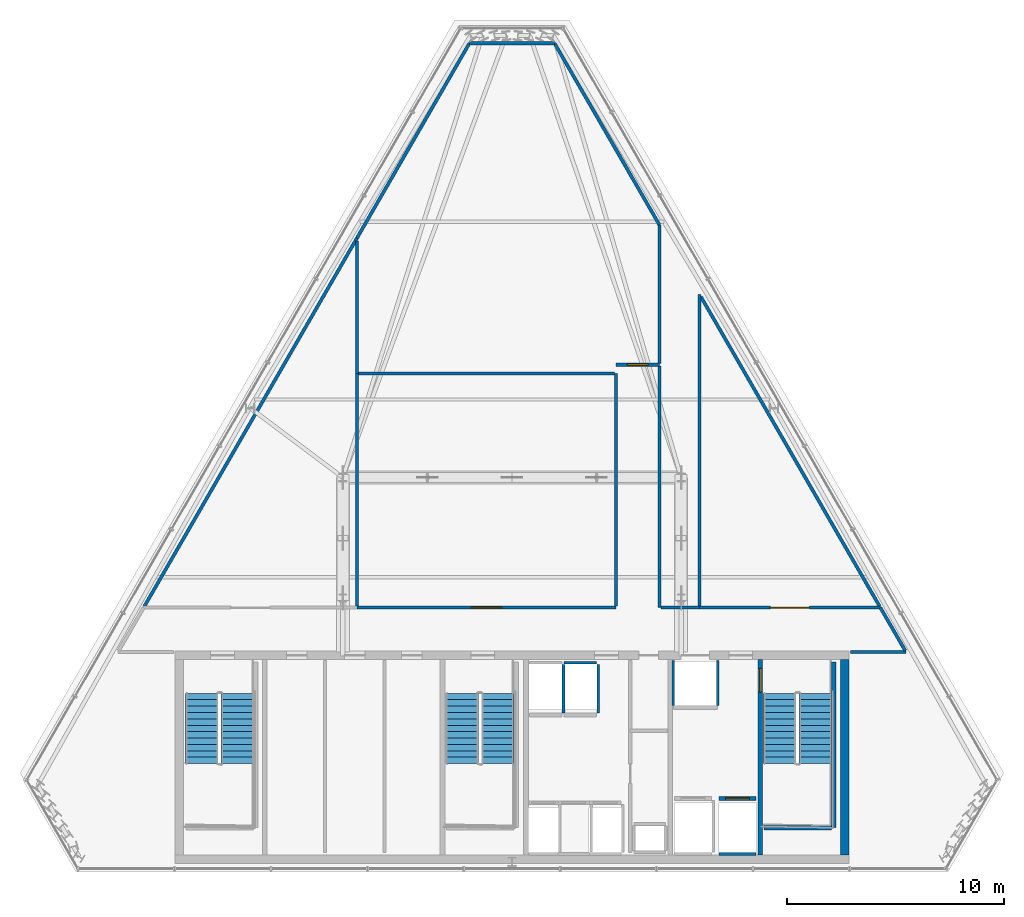
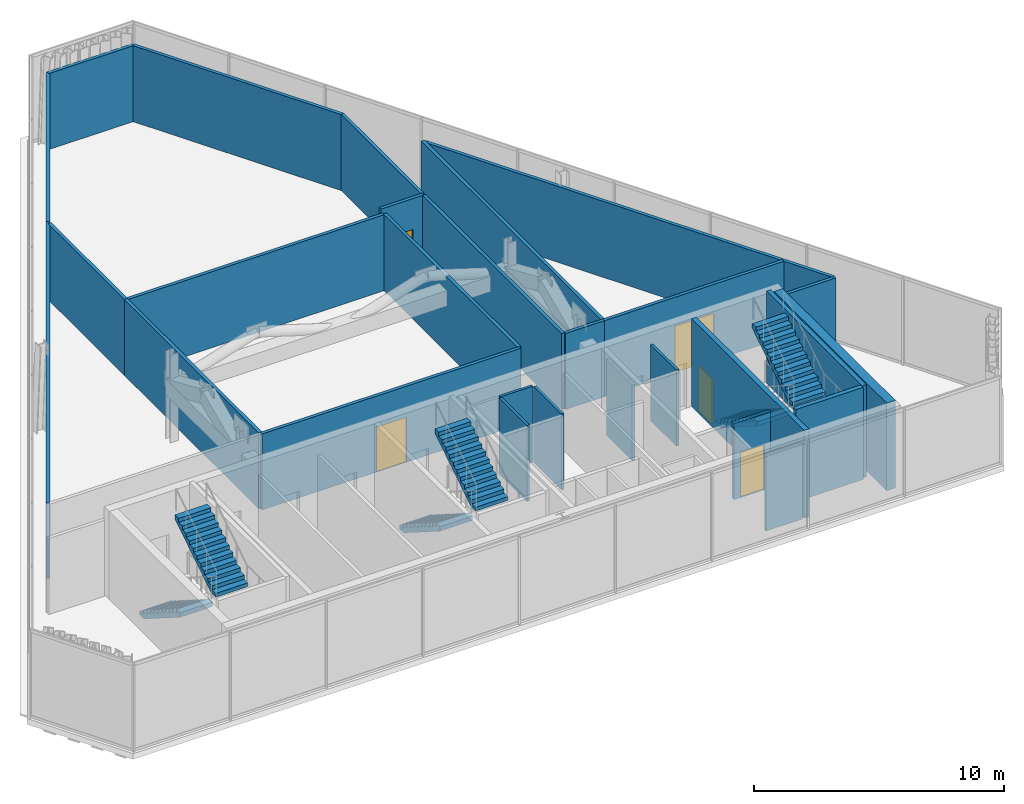
# One storey, part 29 of 32: 29 walls, 6 stair flights, 5 doors, 5 openings, 3 elements without a shape of their own.
"""IFC4 building model written with IfcOpenShell, lengths in metres."""

from ifc_helpers import new_model, si_unit, direction, frame, frame_2d, origin, place, context, subcontext, project, spatial, polyline, rectangle, outline, extrude, material, layer, layer_set, type_object, element, fill, aggregate, save


model = new_model("IFC4")

# Units and contexts
model_context = context("Model", 3, precision=1e-05, world=origin(), true_north=direction((0.0, 1.0)))
body_context = subcontext(model_context, "Body", "Model", "MODEL_VIEW")
ifc_project = project(units=[si_unit("LENGTHUNIT", "METRE"), si_unit("AREAUNIT", "SQUARE_METRE"), si_unit("VOLUMEUNIT", "CUBIC_METRE"), si_unit("PLANEANGLEUNIT", "RADIAN"), si_unit("MASSUNIT", "GRAM", prefix="KILO")], contexts=[model_context])

# Site, building, storey
site_placement = place(None, origin())
site = spatial("IfcSite", under=ifc_project, at=site_placement, CompositionType="ELEMENT")
building_placement = place(site_placement, origin())
building = spatial("IfcBuilding", under=site, at=building_placement, Name="Ndaravel Arena Tower", CompositionType="ELEMENT")
storey_placement = place(building_placement, frame((0.0, 0.0, 278.800048828125)))
storey = spatial("IfcBuildingStorey", under=building, at=storey_placement, Name="L68", CompositionType="ELEMENT", Elevation=278.800048828125)

# Wall
ifc_material_1 = material(Name="Gypsum", Category="gypsum")
ifc_layer_1 = layer(ifc_material_1, 0.14990234375)
ifc_layer_set_1 = layer_set([ifc_layer_1], Name="Gypsum")
wall_type_1 = type_object("IfcWallType", Name="WALL-COMP-150", PredefinedType="PARTITIONING", material=ifc_layer_set_1)
wall_1_placement = place(storey_placement, frame((60.171630859375, 15.14990234375, 0.0), z_axis=(0.0, 0.0, 1.0), x_axis=(-1.0, 0.0, 0.0)))
element("IfcWall", 1, at=wall_1_placement, inside=storey, type_object=wall_type_1, Name="L68 Interior Partition 001", PredefinedType="PARTITIONING", context=body_context, shape_type="SweptSolid", body=[
    extrude(rectangle(XDim=2.571533203125, YDim=0.14990234375, at=frame_2d((1.28564453125, 0.0))), origin(), (0.0, 0.0, 1.0), 3.71044921875),
])

# Wall, opening, door
wall_2_placement = place(storey_placement, frame((34.85009765625, 17.199951171875, 0.0), z_axis=(0.0, 0.0, 1.0), x_axis=(1.0, 0.0, 0.0)))
wall_2 = element("IfcWall", 2, at=wall_2_placement, inside=storey, type_object=wall_type_1, Name="L68 Interior Partition 005", PredefinedType="PARTITIONING", context=body_context, shape_type="SweptSolid", body=[
    extrude(rectangle(XDim=11.949951171875, YDim=0.14990234375, at=frame_2d((5.97509765625, 0.0))), origin(), (0.0, 0.0, 1.0), 3.71044921875),
])
opening_1_placement = place(wall_2_placement, frame((5.27490234375, 0.0, 0.0)))
opening_1 = element("IfcOpeningElement", 3, at=opening_1_placement, cuts=wall_2, Name="Opening ID-02", PredefinedType="OPENING", context=body_context, shape_type="SweptSolid", body=[
    extrude(rectangle(XDim=1.39990234375, YDim=2.199951171875, at=frame_2d((0.699951171875, 1.10009765625))), frame((0.0, 0.074951171875, 0.0), z_axis=(0.0, -1.0, 0.0), x_axis=(1.0, 0.0, 0.0)), (0.0, 0.0, 1.0), 0.14990234375),
])
ifc_material_2 = material(Name="Timber", Category="wood")
door_type_1 = type_object("IfcDoorType", Name="DT-04-SUITE-1400", OperationType="DOUBLE_DOOR_SINGLE_SWING", PredefinedType="DOOR", material=ifc_material_2)
door_1_placement = place(opening_1_placement, origin())
door_1 = element("IfcDoor", 4, at=door_1_placement, inside=storey, type_object=door_type_1, Name="L68 L68 Pressurized Fire Refuge Holding Area Door", OperationType="SINGLE_SWING_LEFT", OverallHeight=2.199951171875, OverallWidth=1.39990234375, PredefinedType="DOOR", context=body_context, shape_type="SweptSolid", body=[
    extrude(rectangle(XDim=1.39990234375, YDim=2.199951171875, at=frame_2d((0.699951171875, 1.10009765625))), frame((0.0, 0.02490234375, 0.0), z_axis=(0.0, -1.0, 0.0), x_axis=(1.0, 0.0, 0.0)), (0.0, 0.0, 1.0), 0.050048828125),
])
fill(opening_1, door_1)

# Wall
wall_3_placement = place(storey_placement, frame((46.800048828125, 17.264892578125, 0.0), z_axis=(0.0, 0.0, 1.0), x_axis=(0.0, 1.0, 0.0)))
element("IfcWall", 5, at=wall_3_placement, inside=storey, type_object=wall_type_1, Name="L68 Interior Partition 006", PredefinedType="PARTITIONING", context=body_context, shape_type="SweptSolid", body=[
    extrude(rectangle(XDim=10.735107421875, YDim=0.14990234375, at=frame_2d((5.36767578125, 0.0))), origin(), (0.0, 0.0, 1.0), 3.71044921875),
])

# Wall, opening, door
wall_4_placement = place(storey_placement, frame((46.800048828125, 28.39990234375, 0.0), z_axis=(0.0, 0.0, 1.0), x_axis=(1.0, 0.0, 0.0)))
wall_4 = element("IfcWall", 6, at=wall_4_placement, inside=storey, type_object=wall_type_1, Name="L68 Interior Partition 007", PredefinedType="PARTITIONING", context=body_context, shape_type="SweptSolid", body=[
    extrude(rectangle(XDim=2.0, YDim=0.14990234375, at=frame_2d((1.0, 0.0))), origin(), (0.0, 0.0, 1.0), 3.71044921875),
])
opening_2_placement = place(wall_4_placement, frame((0.52490234375, 0.0, 0.0)))
opening_2 = element("IfcOpeningElement", 7, at=opening_2_placement, cuts=wall_4, Name="Opening FD-03", PredefinedType="OPENING", context=body_context, shape_type="SweptSolid", body=[
    extrude(rectangle(XDim=0.949951171875, YDim=2.199951171875, at=frame_2d((0.47509765625, 1.10009765625))), frame((0.0, 0.074951171875, 0.0), z_axis=(0.0, -1.0, 0.0), x_axis=(1.0, 0.0, 0.0)), (0.0, 0.0, 1.0), 0.14990234375),
])
ifc_material_3 = material(Name="Steel S355", Category="steel")
door_type_2 = type_object("IfcDoorType", Name="DT-11-CORE-950", OperationType="SINGLE_SWING_LEFT", PredefinedType="DOOR", material=ifc_material_3)
door_2_placement = place(opening_2_placement, origin())
door_2 = element("IfcDoor", 8, at=door_2_placement, inside=storey, type_object=door_type_2, Name="L68 Central Mechanical Transfer Switchroom Door", OperationType="SINGLE_SWING_RIGHT", OverallHeight=2.199951171875, OverallWidth=0.949951171875, PredefinedType="DOOR", context=body_context, shape_type="SweptSolid", body=[
    extrude(rectangle(XDim=0.949951171875, YDim=2.199951171875, at=frame_2d((0.47509765625, 1.10009765625))), frame((0.0, 0.02490234375, 0.0), z_axis=(0.0, -1.0, 0.0), x_axis=(1.0, 0.0, 0.0)), (0.0, 0.0, 1.0), 0.050048828125),
])
fill(opening_2, door_2)

# Walls
wall_5_placement = place(storey_placement, frame((48.800048828125, 28.3349609375, 0.0), z_axis=(0.0, 0.0, 1.0), x_axis=(0.0, -1.0, 0.0)))
element("IfcWall", 9, at=wall_5_placement, inside=storey, type_object=wall_type_1, Name="L68 Interior Partition 008", PredefinedType="PARTITIONING", context=body_context, shape_type="SweptSolid", body=[
    extrude(rectangle(XDim=11.135009765625, YDim=0.14990234375, at=frame_2d((5.5673828125, 0.0))), origin(), (0.0, 0.0, 1.0), 3.71044921875),
])
wall_6_placement = place(storey_placement, frame((48.864990234375, 17.199951171875, 0.0), z_axis=(0.0, 0.0, 1.0), x_axis=(1.0, 0.0, 0.0)))
element("IfcWall", 10, at=wall_6_placement, inside=storey, type_object=wall_type_1, Name="L68 Interior Partition 009", PredefinedType="PARTITIONING", context=body_context, shape_type="SweptSolid", body=[
    extrude(rectangle(XDim=1.784912109375, YDim=0.14990234375, at=frame_2d((0.892578125, 0.0))), origin(), (0.0, 0.0, 1.0), 3.71044921875),
])

# Wall, opening, door
wall_7_placement = place(storey_placement, frame((50.64990234375, 17.199951171875, 0.0), z_axis=(0.0, 0.0, 1.0), x_axis=(1.0, 0.0, 0.0)))
wall_7 = element("IfcWall", 11, at=wall_7_placement, inside=storey, type_object=wall_type_1, Name="L68 Interior Partition 010", PredefinedType="PARTITIONING", context=body_context, shape_type="SweptSolid", body=[
    extrude(rectangle(XDim=8.338134765625, YDim=0.14990234375, at=frame_2d((4.1689453125, 0.0))), origin(), (0.0, 0.0, 1.0), 3.71044921875),
])
opening_3_placement = place(wall_7_placement, frame((3.26904296875, 0.0, 0.0)))
opening_3 = element("IfcOpeningElement", 12, at=opening_3_placement, cuts=wall_7, Name="Opening PD-01", PredefinedType="OPENING", context=body_context, shape_type="SweptSolid", body=[
    extrude(rectangle(XDim=1.800048828125, YDim=2.300048828125, at=frame_2d((0.89990234375, 1.14990234375))), frame((0.0, 0.074951171875, 0.0), z_axis=(0.0, -1.0, 0.0), x_axis=(1.0, 0.0, 0.0)), (0.0, 0.0, 1.0), 0.14990234375),
])
ifc_material_4 = material(Name="Steel S355", Category="steel")
door_type_3 = type_object("IfcDoorType", Name="DT-09-PLANT-1800", OperationType="DOUBLE_DOOR_SINGLE_SWING", PredefinedType="DOOR", material=ifc_material_4)
door_3_placement = place(opening_3_placement, origin())
door_3 = element("IfcDoor", 13, at=door_3_placement, inside=storey, type_object=door_type_3, Name="L68 Fire Break Tank & Booster Pump Room Door", OperationType="SINGLE_SWING_LEFT", OverallHeight=2.300048828125, OverallWidth=1.800048828125, PredefinedType="DOOR", context=body_context, shape_type="SweptSolid", body=[
    extrude(rectangle(XDim=1.800048828125, YDim=2.300048828125, at=frame_2d((0.89990234375, 1.14990234375))), frame((0.0, 0.02490234375, 0.0), z_axis=(0.0, -1.0, 0.0), x_axis=(1.0, 0.0, 0.0)), (0.0, 0.0, 1.0), 0.050048828125),
])
fill(opening_3, door_3)

# Walls
wall_8_placement = place(storey_placement, frame((58.988037109375, 17.199951171875, 0.0), z_axis=(0.0, 0.0, 1.0), x_axis=(0.500091252813, -0.865972712538, 0.0)))
element("IfcWall", 14, at=wall_8_placement, inside=storey, type_object=wall_type_1, Name="L68 Interior Partition 011", PredefinedType="PARTITIONING", context=body_context, shape_type="SweptSolid", body=[
    extrude(rectangle(XDim=2.2919921875, YDim=0.14990234375, at=frame_2d((1.14599609375, 0.0))), origin(), (0.0, 0.0, 1.0), 3.71044921875),
])
wall_9_placement = place(storey_placement, frame((34.85009765625, 17.264892578125, 0.0), z_axis=(0.0, 0.0, 1.0), x_axis=(0.0, 1.0, 0.0)))
element("IfcWall", 15, at=wall_9_placement, inside=storey, type_object=wall_type_1, Name="L68 Interior Partition 012", PredefinedType="PARTITIONING", context=body_context, shape_type="SweptSolid", body=[
    extrude(rectangle(XDim=10.735107421875, YDim=0.14990234375, at=frame_2d((5.36767578125, 0.0))), origin(), (0.0, 0.0, 1.0), 3.71044921875),
])
wall_10_placement = place(storey_placement, frame((34.9150390625, 28.0, 0.0), z_axis=(0.0, 0.0, 1.0), x_axis=(1.0, 0.0, 0.0)))
element("IfcWall", 16, at=wall_10_placement, inside=storey, type_object=wall_type_1, Name="L68 Interior Partition 013", PredefinedType="PARTITIONING", context=body_context, shape_type="SweptSolid", body=[
    extrude(rectangle(XDim=11.820068359375, YDim=0.14990234375, at=frame_2d((5.91015625, 0.0))), origin(), (0.0, 0.0, 1.0), 3.71044921875),
])
wall_11_placement = place(storey_placement, frame((25.04931640625, 17.264892578125, 0.0), z_axis=(0.0, 0.0, 1.0), x_axis=(0.500007807463, 0.866020896097, 0.0)))
element("IfcWall", 17, at=wall_11_placement, inside=storey, type_object=wall_type_1, Name="L68 Interior Partition 014", PredefinedType="PARTITIONING", context=body_context, shape_type="SweptSolid", body=[
    extrude(rectangle(XDim=19.601318359375, YDim=0.14990234375, at=frame_2d((9.80078125, 0.0))), origin(), (0.0, 0.0, 1.0), 3.71044921875),
])
wall_12_placement = place(storey_placement, frame((34.85009765625, 34.110107421875, 0.0), z_axis=(0.0, 0.0, 1.0), x_axis=(0.0, -1.0, 0.0)))
element("IfcWall", 18, at=wall_12_placement, inside=storey, type_object=wall_type_1, Name="L68 Interior Partition 015", PredefinedType="PARTITIONING", context=body_context, shape_type="SweptSolid", body=[
    extrude(rectangle(XDim=6.110107421875, YDim=0.14990234375, at=frame_2d((3.05517578125, 0.0))), origin(), (0.0, 0.0, 1.0), 3.71044921875),
])
wall_13_placement = place(storey_placement, frame((50.64990234375, 17.264892578125, 0.0), z_axis=(0.0, 0.0, 1.0), x_axis=(0.0, 1.0, 0.0)))
element("IfcWall", 19, at=wall_13_placement, inside=storey, type_object=wall_type_1, Name="L68 Interior Partition 016", PredefinedType="PARTITIONING", context=body_context, shape_type="SweptSolid", body=[
    extrude(rectangle(XDim=14.377197265625, YDim=0.14990234375, at=frame_2d((7.1884765625, 0.0))), origin(), (0.0, 0.0, 1.0), 3.71044921875),
])
wall_14_placement = place(storey_placement, frame((50.715087890625, 31.529296875, 0.0), z_axis=(0.0, 0.0, 1.0), x_axis=(0.500001732234, -0.866024403677, 0.0)))
element("IfcWall", 20, at=wall_14_placement, inside=storey, type_object=wall_type_1, Name="L68 Interior Partition 017", PredefinedType="PARTITIONING", context=body_context, shape_type="SweptSolid", body=[
    extrude(rectangle(XDim=16.47119140625, YDim=0.14990234375, at=frame_2d((8.235595703125, 0.0))), origin(), (0.0, 0.0, 1.0), 3.71044921875),
])
wall_15_placement = place(storey_placement, frame((48.800048828125, 34.84619140625, 0.0), z_axis=(0.0, 0.0, 1.0), x_axis=(0.0, -1.0, 0.0)))
element("IfcWall", 21, at=wall_15_placement, inside=storey, type_object=wall_type_1, Name="L68 Interior Partition 018", PredefinedType="PARTITIONING", context=body_context, shape_type="SweptSolid", body=[
    extrude(rectangle(XDim=6.381103515625, YDim=0.14990234375, at=frame_2d((3.1904296875, 0.0))), origin(), (0.0, 0.0, 1.0), 3.71044921875),
])
wall_16_placement = place(storey_placement, frame((34.85009765625, 34.239990234375, 0.0), z_axis=(0.0, 0.0, 1.0), x_axis=(0.499984621457, 0.866034282408, 0.0)))
element("IfcWall", 22, at=wall_16_placement, inside=storey, type_object=wall_type_1, Name="L68 Interior Partition 019", PredefinedType="PARTITIONING", context=body_context, shape_type="SweptSolid", body=[
    extrude(rectangle(XDim=10.371826171875, YDim=0.14990234375, at=frame_2d((5.18603515625, 0.0))), origin(), (0.0, 0.0, 1.0), 3.71044921875),
])
wall_17_placement = place(storey_placement, frame((40.035888671875, 43.222412109375, 0.0), z_axis=(0.0, 0.0, 1.0), x_axis=(1.0, 0.0, 0.0)))
element("IfcWall", 23, at=wall_17_placement, inside=storey, type_object=wall_type_1, Name="L68 Interior Partition 020", PredefinedType="PARTITIONING", context=body_context, shape_type="SweptSolid", body=[
    extrude(rectangle(XDim=3.92822265625, YDim=0.14990234375, at=frame_2d((1.964111328125, 0.0))), origin(), (0.0, 0.0, 1.0), 3.71044921875),
])
wall_18_placement = place(storey_placement, frame((43.964111328125, 43.222412109375, 0.0), z_axis=(0.0, 0.0, 1.0), x_axis=(0.499994123916, -0.866028796316, 0.0)))
element("IfcWall", 24, at=wall_18_placement, inside=storey, type_object=wall_type_1, Name="L68 Interior Partition 021", PredefinedType="PARTITIONING", context=body_context, shape_type="SweptSolid", body=[
    extrude(rectangle(XDim=9.671875, YDim=0.14990234375, at=frame_2d((4.8359375, 0.0))), origin(), (0.0, 0.0, 1.0), 3.71044921875),
])

# Wall, opening, door
ifc_material_5 = material(Name="Concrete C50/60", Category="concrete")
ifc_layer_2 = layer(ifc_material_5, 0.219970703125)
ifc_layer_set_2 = layer_set([ifc_layer_2], Name="Concrete C50/60")
wall_type_2 = type_object("IfcWallType", Name="WALL-CORE-220", PredefinedType="SOLIDWALL", material=ifc_layer_set_2)
wall_19_placement = place(storey_placement, frame((53.449951171875, 5.800048828125, 0.0), z_axis=(0.0, 0.0, 1.0), x_axis=(0.0, 1.0, 0.0)))
wall_19 = element("IfcWall", 25, at=wall_19_placement, inside=storey, type_object=wall_type_2, Name="L68 Core Web Shear Wall 5", PredefinedType="SOLIDWALL", context=body_context, shape_type="SweptSolid", body=[
    extrude(rectangle(XDim=9.0, YDim=0.219970703125, at=frame_2d((4.5, 0.0))), origin(), (0.0, 0.0, 1.0), 4.280029296875),
])
opening_4_placement = place(wall_19_placement, frame((7.5, 0.0, 0.0)))
opening_4 = element("IfcOpeningElement", 26, at=opening_4_placement, cuts=wall_19, Name="Opening FD-01", PredefinedType="OPENING", context=body_context, shape_type="SweptSolid", body=[
    extrude(rectangle(XDim=1.10009765625, YDim=2.199951171875, at=frame_2d((0.550048828125, 1.10009765625))), frame((0.0, 0.10986328125, 0.0), z_axis=(0.0, -1.0, 0.0), x_axis=(1.0, 0.0, 0.0)), (0.0, 0.0, 1.0), 0.219970703125),
])
ifc_material_6 = material(Name="Steel S355", Category="steel")
door_type_4 = type_object("IfcDoorType", Name="DT-01-STAIR-1100", OperationType="SINGLE_SWING_LEFT", PredefinedType="DOOR", material=ifc_material_6)
door_4_placement = place(opening_4_placement, origin())
door_4 = element("IfcDoor", 27, at=door_4_placement, inside=storey, type_object=door_type_4, Name="L68 Firefighting Lobby to ST-3 Door", OperationType="SINGLE_SWING_LEFT", OverallHeight=2.199951171875, OverallWidth=1.10009765625, PredefinedType="DOOR", context=body_context, shape_type="SweptSolid", body=[
    extrude(rectangle(XDim=1.10009765625, YDim=2.199951171875, at=frame_2d((0.550048828125, 1.10009765625))), frame((0.0, 0.02490234375, 0.0), z_axis=(0.0, -1.0, 0.0), x_axis=(1.0, 0.0, 0.0)), (0.0, 0.0, 1.0), 0.050048828125),
])
fill(opening_4, door_4)

# Walls
ifc_material_7 = material(Name="Concrete C50/60", Category="concrete")
ifc_layer_3 = layer(ifc_material_7, 0.39990234375)
ifc_layer_set_3 = layer_set([ifc_layer_3], Name="Concrete C50/60")
wall_type_3 = type_object("IfcWallType", Name="WALL-CORE-400", PredefinedType="SOLIDWALL", material=ifc_layer_set_3)
wall_20_placement = place(storey_placement, frame((57.35009765625, 5.800048828125, 0.0), z_axis=(0.0, 0.0, 1.0), x_axis=(0.0, 1.0, 0.0)))
element("IfcWall", 28, at=wall_20_placement, inside=storey, type_object=wall_type_3, Name="L68 Core East Shear Wall", PredefinedType="SOLIDWALL", context=body_context, shape_type="SweptSolid", body=[
    extrude(rectangle(XDim=9.0, YDim=0.39990234375, at=frame_2d((4.5, 0.0))), origin(), (0.0, 0.0, 1.0), 4.280029296875),
])
ifc_material_8 = material(Name="Concrete C40/50", Category="concrete")
ifc_layer_4 = layer(ifc_material_8, 0.1201171875)
ifc_layer_set_4 = layer_set([ifc_layer_4], Name="Concrete C40/50")
wall_type_4 = type_object("IfcWallType", Name="WALL-SHAFT-120", PredefinedType="SOLIDWALL", material=ifc_layer_set_4)
wall_21_placement = place(storey_placement, frame((44.375, 12.340087890625, 0.0), z_axis=(0.0, 0.0, 1.0), x_axis=(0.0, 1.0, 0.0)))
element("IfcWall", 29, at=wall_21_placement, inside=storey, type_object=wall_type_4, Name="L68 PL-OBS1 Shaft Side R Wall", PredefinedType="SOLIDWALL", context=body_context, shape_type="SweptSolid", body=[
    extrude(rectangle(XDim=2.22998046875, YDim=0.1201171875, at=frame_2d((1.114990234375, 0.0))), origin(), (0.0, 0.0, 1.0), 3.71044921875),
])
wall_22_placement = place(storey_placement, frame((44.405029296875, 14.659912109375, 0.0), z_axis=(0.0, 0.0, 1.0), x_axis=(1.0, 0.0, 0.0)))
element("IfcWall", 30, at=wall_22_placement, inside=storey, type_object=wall_type_4, Name="L68 PL-OBS2 Shaft Rear Wall", PredefinedType="SOLIDWALL", context=body_context, shape_type="SweptSolid", body=[
    extrude(rectangle(XDim=1.489990234375, YDim=0.1201171875, at=frame_2d((0.7451171875, 0.0))), origin(), (0.0, 0.0, 1.0), 3.71044921875),
])
wall_23_placement = place(storey_placement, frame((45.97509765625, 12.340087890625, 0.0), z_axis=(0.0, 0.0, 1.0), x_axis=(0.0, 1.0, 0.0)))
element("IfcWall", 31, at=wall_23_placement, inside=storey, type_object=wall_type_4, Name="L68 PL-OBS2 Shaft Side R Wall", PredefinedType="SOLIDWALL", context=body_context, shape_type="SweptSolid", body=[
    extrude(rectangle(XDim=2.22998046875, YDim=0.1201171875, at=frame_2d((1.114990234375, 0.0))), origin(), (0.0, 0.0, 1.0), 3.71044921875),
])
wall_24_placement = place(storey_placement, frame((51.554931640625, 5.840087890625, 0.0), z_axis=(0.0, 0.0, 1.0), x_axis=(1.0, 0.0, 0.0)))
element("IfcWall", 32, at=wall_24_placement, inside=storey, type_object=wall_type_4, Name="L68 FFL-2 Shaft Rear Wall", PredefinedType="SOLIDWALL", context=body_context, shape_type="SweptSolid", body=[
    extrude(rectangle(XDim=1.690185546875, YDim=0.1201171875, at=frame_2d((0.84521484375, 0.0))), origin(), (0.0, 0.0, 1.0), 3.71044921875),
])
for number, where, z_axis, x_axis, name in (
    (33, (49.43994140625, 12.68994140625, 0.0), (0.0, 0.0, 1.0), (0.0, 1.0, 0.0), "L68 SVL-1 Shaft W Wall"),
    (34, (51.47998046875, 12.68994140625, 0.0), (0.0, 0.0, 1.0), (0.0, 1.0, 0.0), "L68 SVL-1 Shaft E Wall"),
):
    element("IfcWall", number, at=place(storey_placement, frame(where, z_axis=z_axis, x_axis=x_axis)), inside=storey, type_object=wall_type_4, Name=name, PredefinedType="SOLIDWALL", context=body_context, shape_type="SweptSolid", body=[
        extrude(rectangle(XDim=2.070068359375, YDim=0.1201171875, at=frame_2d((1.03515625, 0.0))), origin(), (0.0, 0.0, 1.0), 3.71044921875),
    ])
ifc_material_9 = material(Name="Concrete C40/50", Category="concrete")
ifc_layer_5 = layer(ifc_material_9, 0.199951171875)
ifc_layer_set_5 = layer_set([ifc_layer_5], Name="Concrete C40/50")
wall_type_5 = type_object("IfcWallType", Name="WALL-SHAFT-200", PredefinedType="SOLIDWALL", material=ifc_layer_set_5)
wall_25_placement = place(storey_placement, frame((56.840087890625, 14.699951171875, 0.0), z_axis=(0.0, 0.0, 1.0), x_axis=(0.0, -1.0, 0.0)))
element("IfcWall", 35, at=wall_25_placement, inside=storey, type_object=wall_type_5, Name="L68 ST-3 Structural Shaft Wall Right", PredefinedType="SOLIDWALL", context=body_context, shape_type="SweptSolid", body=[
    extrude(rectangle(XDim=7.64990234375, YDim=0.199951171875, at=frame_2d((3.824951171875, 0.0))), origin(), (0.0, 0.0, 1.0), 4.5),
])
wall_26_placement = place(storey_placement, frame((53.6201171875, 7.050048828125, 0.0), z_axis=(0.0, 0.0, 1.0), x_axis=(1.0, 0.0, 0.0)))
element("IfcWall", 36, at=wall_26_placement, inside=storey, type_object=wall_type_5, Name="L68 ST-3 Structural Shaft Wall Far", PredefinedType="SOLIDWALL", context=body_context, shape_type="SweptSolid", body=[
    extrude(rectangle(XDim=3.114990234375, YDim=0.199951171875, at=frame_2d((1.5576171875, 0.0))), origin(), (0.0, 0.0, 1.0), 4.5),
])

# Wall, opening, door
wall_27_placement = place(storey_placement, frame((51.554931640625, 8.39990234375, 0.0), z_axis=(0.0, 0.0, 1.0), x_axis=(1.0, 0.0, 0.0)))
wall_27 = element("IfcWall", 37, at=wall_27_placement, inside=storey, type_object=wall_type_5, Name="L68 FFL-2 Shaft Landing Wall", PredefinedType="SOLIDWALL", context=body_context, shape_type="SweptSolid", body=[
    extrude(rectangle(XDim=1.690185546875, YDim=0.179931640625, at=frame_2d((0.84521484375, 0.0))), origin(), (0.0, 0.0, 1.0), 3.71044921875),
])
opening_5_placement = place(wall_27_placement, frame((0.294921875, 0.0, 0.0)))
opening_5 = element("IfcOpeningElement", 38, at=opening_5_placement, cuts=wall_27, Name="Opening LD-01", PredefinedType="OPENING", context=body_context, shape_type="SweptSolid", body=[
    extrude(rectangle(XDim=1.10009765625, YDim=2.199951171875, at=frame_2d((0.550048828125, 1.10009765625))), frame((0.0, 0.08984375, 0.0), z_axis=(0.0, -1.0, 0.0), x_axis=(1.0, 0.0, 0.0)), (0.0, 0.0, 1.0), 0.179931640625),
])
ifc_material_10 = material(Name="Steel S355", Category="steel")
door_type_5 = type_object("IfcDoorType", Name="DT-06-LIFT-1100", OperationType="SLIDING_TO_LEFT", PredefinedType="DOOR", material=ifc_material_10)
door_5_placement = place(opening_5_placement, origin())
door_5 = element("IfcDoor", 39, at=door_5_placement, inside=storey, type_object=door_type_5, Name="L68 Lift FFL-2 Sliding Landing Door", OperationType="SLIDING_TO_LEFT", OverallHeight=2.199951171875, OverallWidth=1.10009765625, PredefinedType="DOOR", context=body_context, shape_type="SweptSolid", body=[
    extrude(rectangle(XDim=1.10009765625, YDim=2.199951171875, at=frame_2d((0.550048828125, 1.10009765625))), frame((0.0, 0.02490234375, 0.0), z_axis=(0.0, -1.0, 0.0), x_axis=(1.0, 0.0, 0.0)), (0.0, 0.0, 1.0), 0.050048828125),
])
fill(opening_5, door_5)

# Stair, stair flights
ifc_material_11 = material(Name="Concrete C40/50", Category="concrete")
stair_type = type_object("IfcStairType", Name="STAIR-CORE-HT", PredefinedType="HALF_TURN_STAIR", material=ifc_material_11)
stair_1_placement = place(storey_placement, origin())
stair_1 = element("IfcStair", 40, at=stair_1_placement, inside=storey, type_object=stair_type, Name="L68 ST-1", PredefinedType="HALF_TURN_STAIR")
ifc_material_12 = material(Name="Concrete C40/50", Category="concrete")
stair_flight_type = type_object("IfcStairFlightType", Name="SFLIGHT-CORE-1680", PredefinedType="STRAIGHT", material=ifc_material_12)
stair_flight_1_placement = place(storey_placement, frame((27.699951171875, 13.25, 0.0), z_axis=(0.0, 0.0, 1.0), x_axis=(0.0, -1.0, 0.0)))
stair_flight_1 = element("IfcStairFlight", 41, at=stair_flight_1_placement, type_object=stair_flight_type, Name="ST-1 flight 1", NumberOfRisers=12, NumberOfTreads=11, PredefinedType="STRAIGHT", RiserHeight=0.1875, TreadLength=0.295, context=body_context, shape_type="SweptSolid", body=[
    extrude(outline(polyline([(0.0, 0.0), (0.0, 0.1875), (0.294921875, 0.1875), (0.294921875, 0.375), (0.590087890625, 0.375), (0.590087890625, 0.5625), (0.885009765625, 0.5625), (0.885009765625, 0.75), (1.179931640625, 0.75), (1.179931640625, 0.9375), (1.47509765625, 0.9375), (1.47509765625, 1.125), (1.77001953125, 1.125), (1.77001953125, 1.3125), (2.06494140625, 1.3125), (2.06494140625, 1.5), (2.360107421875, 1.5), (2.360107421875, 1.6875), (2.655029296875, 1.6875), (2.655029296875, 1.875), (2.949951171875, 1.875), (2.949951171875, 2.0625), (3.2451171875, 2.0625), (3.2451171875, 2.25), (3.2451171875, 1.849365234375), (0.33544921875, 0.0), (0.0, 0.0)])), frame((0.0, 0.75, 0.0), z_axis=(0.0, -1.0, 0.0), x_axis=(1.0, 0.0, 0.0)), (0.0, 0.0, 1.0), 1.5),
])
stair_flight_2_placement = place(storey_placement, frame((29.340087890625, 10.0048828125, 2.25), z_axis=(0.0, 0.0, 1.0), x_axis=(0.0, 1.0, 0.0)))
stair_flight_2 = element("IfcStairFlight", 42, at=stair_flight_2_placement, type_object=stair_flight_type, Name="ST-1 flight 2", NumberOfRisers=12, NumberOfTreads=11, PredefinedType="STRAIGHT", RiserHeight=0.1875, TreadLength=0.295, context=body_context, shape_type="SweptSolid", body=[
    extrude(outline(polyline([(0.0, 0.0), (0.0, 0.1875), (0.294921875, 0.1875), (0.294921875, 0.375), (0.590087890625, 0.375), (0.590087890625, 0.5625), (0.885009765625, 0.5625), (0.885009765625, 0.75), (1.179931640625, 0.75), (1.179931640625, 0.9375), (1.47509765625, 0.9375), (1.47509765625, 1.125), (1.77001953125, 1.125), (1.77001953125, 1.3125), (2.06494140625, 1.3125), (2.06494140625, 1.5), (2.360107421875, 1.5), (2.360107421875, 1.6875), (2.655029296875, 1.6875), (2.655029296875, 1.875), (2.949951171875, 1.875), (2.949951171875, 2.0625), (3.2451171875, 2.0625), (3.2451171875, 2.25), (3.2451171875, 1.849365234375), (0.33544921875, 0.0), (0.0, 0.0)])), frame((0.0, 0.75, 0.0), z_axis=(0.0, -1.0, 0.0), x_axis=(1.0, 0.0, 0.0)), (0.0, 0.0, 1.0), 1.5),
])
aggregate(stair_1, [stair_flight_1, stair_flight_2])

stair_2_placement = place(storey_placement, origin())
stair_2 = element("IfcStair", 43, at=stair_2_placement, inside=storey, type_object=stair_type, Name="L68 ST-2", PredefinedType="HALF_TURN_STAIR")
stair_flight_3_placement = place(storey_placement, frame((39.699951171875, 13.25, 0.0), z_axis=(0.0, 0.0, 1.0), x_axis=(0.0, -1.0, 0.0)))
stair_flight_3 = element("IfcStairFlight", 44, at=stair_flight_3_placement, type_object=stair_flight_type, Name="ST-2 flight 1", NumberOfRisers=12, NumberOfTreads=11, PredefinedType="STRAIGHT", RiserHeight=0.1875, TreadLength=0.295, context=body_context, shape_type="SweptSolid", body=[
    extrude(outline(polyline([(0.0, 0.0), (0.0, 0.1875), (0.294921875, 0.1875), (0.294921875, 0.375), (0.590087890625, 0.375), (0.590087890625, 0.5625), (0.885009765625, 0.5625), (0.885009765625, 0.75), (1.179931640625, 0.75), (1.179931640625, 0.9375), (1.47509765625, 0.9375), (1.47509765625, 1.125), (1.77001953125, 1.125), (1.77001953125, 1.3125), (2.06494140625, 1.3125), (2.06494140625, 1.5), (2.360107421875, 1.5), (2.360107421875, 1.6875), (2.655029296875, 1.6875), (2.655029296875, 1.875), (2.949951171875, 1.875), (2.949951171875, 2.0625), (3.2451171875, 2.0625), (3.2451171875, 2.25), (3.2451171875, 1.849365234375), (0.33544921875, 0.0), (0.0, 0.0)])), frame((0.0, 0.75, 0.0), z_axis=(0.0, -1.0, 0.0), x_axis=(1.0, 0.0, 0.0)), (0.0, 0.0, 1.0), 1.5),
])
stair_flight_4_placement = place(storey_placement, frame((41.340087890625, 10.0048828125, 2.25), z_axis=(0.0, 0.0, 1.0), x_axis=(0.0, 1.0, 0.0)))
stair_flight_4 = element("IfcStairFlight", 45, at=stair_flight_4_placement, type_object=stair_flight_type, Name="ST-2 flight 2", NumberOfRisers=12, NumberOfTreads=11, PredefinedType="STRAIGHT", RiserHeight=0.1875, TreadLength=0.295, context=body_context, shape_type="SweptSolid", body=[
    extrude(outline(polyline([(0.0, 0.0), (0.0, 0.1875), (0.294921875, 0.1875), (0.294921875, 0.375), (0.590087890625, 0.375), (0.590087890625, 0.5625), (0.885009765625, 0.5625), (0.885009765625, 0.75), (1.179931640625, 0.75), (1.179931640625, 0.9375), (1.47509765625, 0.9375), (1.47509765625, 1.125), (1.77001953125, 1.125), (1.77001953125, 1.3125), (2.06494140625, 1.3125), (2.06494140625, 1.5), (2.360107421875, 1.5), (2.360107421875, 1.6875), (2.655029296875, 1.6875), (2.655029296875, 1.875), (2.949951171875, 1.875), (2.949951171875, 2.0625), (3.2451171875, 2.0625), (3.2451171875, 2.25), (3.2451171875, 1.849365234375), (0.33544921875, 0.0), (0.0, 0.0)])), frame((0.0, 0.75, 0.0), z_axis=(0.0, -1.0, 0.0), x_axis=(1.0, 0.0, 0.0)), (0.0, 0.0, 1.0), 1.5),
])
aggregate(stair_2, [stair_flight_3, stair_flight_4])

stair_3_placement = place(storey_placement, origin())
stair_3 = element("IfcStair", 46, at=stair_3_placement, inside=storey, type_object=stair_type, Name="L68 ST-3", PredefinedType="HALF_TURN_STAIR")
stair_flight_5_placement = place(storey_placement, frame((54.35009765625, 13.25, 0.0), z_axis=(0.0, 0.0, 1.0), x_axis=(0.0, -1.0, 0.0)))
stair_flight_5 = element("IfcStairFlight", 47, at=stair_flight_5_placement, type_object=stair_flight_type, Name="ST-3 flight 1", NumberOfRisers=12, NumberOfTreads=11, PredefinedType="STRAIGHT", RiserHeight=0.1875, TreadLength=0.295, context=body_context, shape_type="SweptSolid", body=[
    extrude(outline(polyline([(0.0, 0.0), (0.0, 0.1875), (0.294921875, 0.1875), (0.294921875, 0.375), (0.590087890625, 0.375), (0.590087890625, 0.5625), (0.885009765625, 0.5625), (0.885009765625, 0.75), (1.179931640625, 0.75), (1.179931640625, 0.9375), (1.47509765625, 0.9375), (1.47509765625, 1.125), (1.77001953125, 1.125), (1.77001953125, 1.3125), (2.06494140625, 1.3125), (2.06494140625, 1.5), (2.360107421875, 1.5), (2.360107421875, 1.6875), (2.655029296875, 1.6875), (2.655029296875, 1.875), (2.949951171875, 1.875), (2.949951171875, 2.0625), (3.2451171875, 2.0625), (3.2451171875, 2.25), (3.2451171875, 1.849365234375), (0.33544921875, 0.0), (0.0, 0.0)])), frame((0.0, 0.75, 0.0), z_axis=(0.0, -1.0, 0.0), x_axis=(1.0, 0.0, 0.0)), (0.0, 0.0, 1.0), 1.5),
])
stair_flight_6_placement = place(storey_placement, frame((55.989990234375, 10.0048828125, 2.25), z_axis=(0.0, 0.0, 1.0), x_axis=(0.0, 1.0, 0.0)))
stair_flight_6 = element("IfcStairFlight", 48, at=stair_flight_6_placement, type_object=stair_flight_type, Name="ST-3 flight 2", NumberOfRisers=12, NumberOfTreads=11, PredefinedType="STRAIGHT", RiserHeight=0.1875, TreadLength=0.295, context=body_context, shape_type="SweptSolid", body=[
    extrude(outline(polyline([(0.0, 0.0), (0.0, 0.1875), (0.294921875, 0.1875), (0.294921875, 0.375), (0.590087890625, 0.375), (0.590087890625, 0.5625), (0.885009765625, 0.5625), (0.885009765625, 0.75), (1.179931640625, 0.75), (1.179931640625, 0.9375), (1.47509765625, 0.9375), (1.47509765625, 1.125), (1.77001953125, 1.125), (1.77001953125, 1.3125), (2.06494140625, 1.3125), (2.06494140625, 1.5), (2.360107421875, 1.5), (2.360107421875, 1.6875), (2.655029296875, 1.6875), (2.655029296875, 1.875), (2.949951171875, 1.875), (2.949951171875, 2.0625), (3.2451171875, 2.0625), (3.2451171875, 2.25), (3.2451171875, 1.849365234375), (0.33544921875, 0.0), (0.0, 0.0)])), frame((0.0, 0.75, 0.0), z_axis=(0.0, -1.0, 0.0), x_axis=(1.0, 0.0, 0.0)), (0.0, 0.0, 1.0), 1.5),
])
aggregate(stair_3, [stair_flight_5, stair_flight_6])

save(model, "model.ifc")
